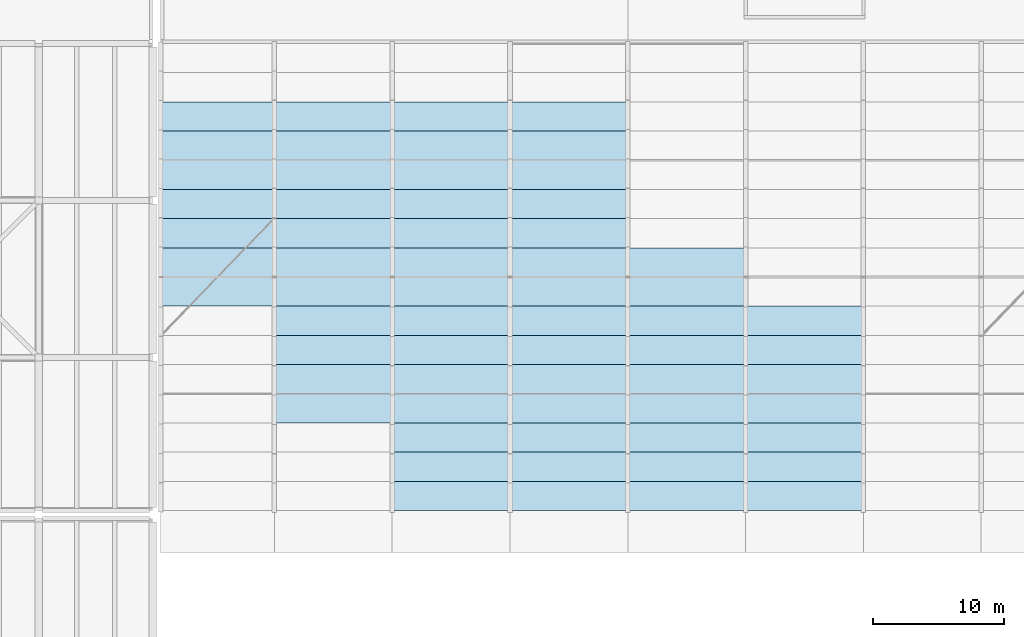
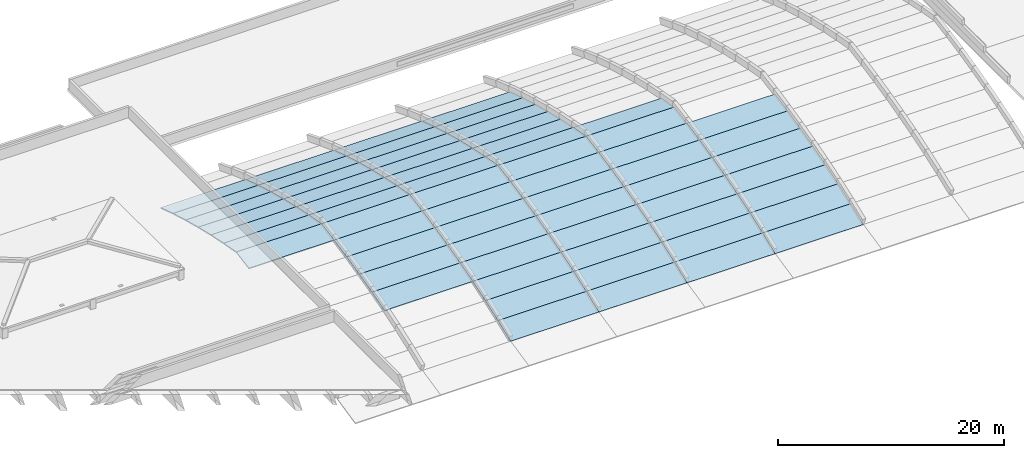
# One storey, part 42 of 56: 62 slabs, 6 elements without a shape of their own.
"""IFC4 building model written with IfcOpenShell, lengths in metres."""

from ifc_helpers import new_model, si_unit, direction, frame, origin, place, context, subcontext, project, spatial, polyline, outline, extrude, material, layer, layer_set, type_object, element, aggregate, save


model = new_model("IFC4")

# Units and contexts
model_context = context("Model", 3, precision=1e-05, world=origin(), true_north=direction((0.0, 1.0)))
body_context = subcontext(model_context, "Body", "Model", "MODEL_VIEW")
ifc_project = project(units=[si_unit("LENGTHUNIT", "METRE"), si_unit("AREAUNIT", "SQUARE_METRE"), si_unit("VOLUMEUNIT", "CUBIC_METRE"), si_unit("PLANEANGLEUNIT", "RADIAN"), si_unit("MASSUNIT", "GRAM", prefix="KILO")], contexts=[model_context])

# Site, building, storey
site_placement = place(None, origin())
site = spatial("IfcSite", under=ifc_project, at=site_placement, CompositionType="ELEMENT")
building_placement = place(site_placement, origin())
building = spatial("IfcBuilding", under=site, at=building_placement, Name="Zacnel Wholesale Market", CompositionType="ELEMENT")
storey_placement = place(building_placement, frame((0.0, 0.0, 20.300048828125)))
storey = spatial("IfcBuildingStorey", under=building, at=storey_placement, Name="RF", CompositionType="ELEMENT", Elevation=20.300048828125)

# Roof, slabs
ifc_material_1 = material(Name="Concrete C40/50", Category="concrete")
ifc_layer_1 = layer(ifc_material_1, 0.110107421875)
ifc_layer_set_1 = layer_set([ifc_layer_1], Name="Concrete C40/50")
roof_type = type_object("IfcRoofType", Name="ROOF-BARREL-36M", PredefinedType="BARREL_ROOF", material=ifc_layer_set_1)
roof_1_placement = place(storey_placement, origin())
roof_1 = element("IfcRoof", 1, at=roof_1_placement, inside=storey, type_object=roof_type, Name="Parabolic barrel-shell roof V1N-W-01", PredefinedType="BARREL_ROOF")
ifc_material_2 = material(Name="Concrete C40/50", Category="concrete")
ifc_layer_2 = layer(ifc_material_2, 0.110107421875)
ifc_layer_set_2 = layer_set([ifc_layer_2], Name="Concrete C40/50")
slab_type = type_object("IfcSlabType", Name="SLB-ROOF-SHELL-110", PredefinedType="ROOF", material=ifc_layer_set_2)
slab_1_placement = place(storey_placement, frame((72.300048828125, 111.918701171875, -4.5), z_axis=(0.0, -0.176420589484, 0.984314876249), x_axis=(1.0, 0.0, 0.0)))
slab_1 = element("IfcSlab", 2, at=slab_1_placement, type_object=slab_type, Name="Barrel-shell facet V1N-W-01-F08", PredefinedType="ROOF", context=body_context, shape_type="SweptSolid", body=[
    extrude(outline(polyline([(0.0, 0.0), (8.699951171875, 0.0), (8.699951171875, 2.266755512602344), (0.0, 2.266755512602344), (0.0, 0.0)])), origin(), (0.0, 0.0, -1.0), 0.110107421875),
])
slab_2_placement = place(storey_placement, frame((72.300048828125, 114.14990234375, -4.10009765625), z_axis=(0.0, 0.176420589484, 0.984314876249), x_axis=(1.0, 0.0, 0.0)))
slab_2 = element("IfcSlab", 3, at=slab_2_placement, type_object=slab_type, Name="Barrel-shell facet V1N-W-01-F09", PredefinedType="ROOF", context=body_context, shape_type="SweptSolid", body=[
    extrude(outline(polyline([(0.0, 0.0), (8.699951171875, 0.0), (8.699951171875, 2.266755512602344), (0.0, 2.266755512602344), (0.0, 0.0)])), origin(), (0.0, 0.0, -1.0), 0.110107421875),
])
slab_3_placement = place(storey_placement, frame((72.300048828125, 116.381103515625, -4.5), z_axis=(0.0, 0.201882701177, 0.979409707408), x_axis=(1.0, 0.0, 0.0)))
slab_3 = element("IfcSlab", 4, at=slab_3_placement, type_object=slab_type, Name="Barrel-shell facet V1N-W-01-F10", PredefinedType="ROOF", context=body_context, shape_type="SweptSolid", body=[
    extrude(outline(polyline([(0.0, 0.0), (8.699951171875, 0.0), (8.699951171875, 2.2783573571115006), (0.0, 2.2783573571115006), (0.0, 0.0)])), origin(), (0.0, 0.0, -1.0), 0.110107421875),
])
slab_4_placement = place(storey_placement, frame((72.300048828125, 118.612548828125, -4.9599609375), z_axis=(0.0, 0.226983688872, 0.973898559906), x_axis=(1.0, 0.0, 0.0)))
slab_4 = element("IfcSlab", 5, at=slab_4_placement, type_object=slab_type, Name="Barrel-shell facet V1N-W-01-F11", PredefinedType="ROOF", context=body_context, shape_type="SweptSolid", body=[
    extrude(outline(polyline([(0.0, 0.0), (8.699951171875, 0.0), (8.699951171875, 2.2909995596371995), (0.0, 2.2909995596371995), (0.0, 0.0)])), origin(), (0.0, 0.0, -1.0), 0.110107421875),
])
slab_5_placement = place(storey_placement, frame((72.300048828125, 120.84375, -5.47998046875), z_axis=(0.0, 0.251619964429, 0.967826117389), x_axis=(1.0, 0.0, 0.0)))
slab_5 = element("IfcSlab", 6, at=slab_5_placement, type_object=slab_type, Name="Barrel-shell facet V1N-W-01-F12", PredefinedType="ROOF", context=body_context, shape_type="SweptSolid", body=[
    extrude(outline(polyline([(0.0, 0.0), (8.699951171875, 0.0), (8.699951171875, 2.3053740044686655), (0.0, 2.3053740044686655), (0.0, 0.0)])), origin(), (0.0, 0.0, -1.0), 0.110107421875),
])
slab_6_placement = place(storey_placement, frame((72.300048828125, 123.074951171875, -6.06005859375), z_axis=(0.0, 0.275651658171, 0.961257594689), x_axis=(1.0, 0.0, 0.0)))
slab_6 = element("IfcSlab", 7, at=slab_6_placement, type_object=slab_type, Name="Barrel-shell facet V1N-W-01-F13", PredefinedType="ROOF", context=body_context, shape_type="SweptSolid", body=[
    extrude(outline(polyline([(0.0, 0.0), (8.699951171875, 0.0), (8.699951171875, 2.3213812039856103), (0.0, 2.3213812039856103), (0.0, 0.0)])), origin(), (0.0, 0.0, -1.0), 0.110107421875),
])
slab_7_placement = place(storey_placement, frame((72.300048828125, 125.306396484375, -6.699951171875), z_axis=(0.0, 0.307185321823, 0.951649713947), x_axis=(1.0, 0.0, 0.0)))
slab_7 = element("IfcSlab", 8, at=slab_7_placement, type_object=slab_type, Name="Barrel-shell facet V1N-W-01-F14", PredefinedType="ROOF", context=body_context, shape_type="SweptSolid", body=[
    extrude(outline(polyline([(0.0, 0.0), (8.699951171875, 0.0), (8.699951171875, 2.344561385533382), (0.0, 2.344561385533382), (0.0, 0.0)])), origin(), (0.0, 0.0, -1.0), 0.110107421875),
])
aggregate(roof_1, [slab_1, slab_2, slab_3, slab_4, slab_5, slab_6, slab_7])

roof_2_placement = place(storey_placement, origin())
roof_2 = element("IfcRoof", 9, at=roof_2_placement, inside=storey, type_object=roof_type, Name="Parabolic barrel-shell roof V1N-W-02", PredefinedType="BARREL_ROOF")
slab_8_placement = place(storey_placement, frame((81.0, 102.99365234375, -6.699951171875), z_axis=(0.0, -0.275651658171, 0.961257594689), x_axis=(1.0, 0.0, 0.0)))
slab_8 = element("IfcSlab", 10, at=slab_8_placement, type_object=slab_type, Name="Barrel-shell facet V1N-W-02-F04", PredefinedType="ROOF", context=body_context, shape_type="SweptSolid", body=[
    extrude(outline(polyline([(0.0, 0.0), (9.0, 0.0), (9.0, 2.3213812039856103), (0.0, 2.3213812039856103), (0.0, 0.0)])), origin(), (0.0, 0.0, -1.0), 0.110107421875),
])
slab_9_placement = place(storey_placement, frame((81.0, 105.22509765625, -6.06005859375), z_axis=(0.0, -0.251619964429, 0.967826117389), x_axis=(1.0, 0.0, 0.0)))
slab_9 = element("IfcSlab", 11, at=slab_9_placement, type_object=slab_type, Name="Barrel-shell facet V1N-W-02-F05", PredefinedType="ROOF", context=body_context, shape_type="SweptSolid", body=[
    extrude(outline(polyline([(0.0, 0.0), (9.0, 0.0), (9.0, 2.305374004468665), (0.0, 2.305374004468665), (0.0, 0.0)])), origin(), (0.0, 0.0, -1.0), 0.110107421875),
])
slab_10_placement = place(storey_placement, frame((81.0, 107.456298828125, -5.47998046875), z_axis=(0.0, -0.226983688872, 0.973898559906), x_axis=(1.0, 0.0, 0.0)))
slab_10 = element("IfcSlab", 12, at=slab_10_placement, type_object=slab_type, Name="Barrel-shell facet V1N-W-02-F06", PredefinedType="ROOF", context=body_context, shape_type="SweptSolid", body=[
    extrude(outline(polyline([(0.0, 0.0), (9.0, 0.0), (9.0, 2.2909995596371995), (0.0, 2.2909995596371995), (0.0, 0.0)])), origin(), (0.0, 0.0, -1.0), 0.110107421875),
])
slab_11_placement = place(storey_placement, frame((81.0, 109.6875, -4.9599609375), z_axis=(0.0, -0.201903890951, 0.979405339386), x_axis=(1.0, 0.0, 0.0)))
slab_11 = element("IfcSlab", 13, at=slab_11_placement, type_object=slab_type, Name="Barrel-shell facet V1N-W-02-F07", PredefinedType="ROOF", context=body_context, shape_type="SweptSolid", body=[
    extrude(outline(polyline([(0.0, 0.0), (9.0, 0.0), (9.0, 2.2781182439465804), (0.0, 2.2781182439465804), (0.0, 0.0)])), origin(), (0.0, 0.0, -1.0), 0.110107421875),
])
slab_12_placement = place(storey_placement, frame((81.0, 111.918701171875, -4.5), z_axis=(0.0, -0.176420589484, 0.984314876249), x_axis=(1.0, 0.0, 0.0)))
slab_12 = element("IfcSlab", 14, at=slab_12_placement, type_object=slab_type, Name="Barrel-shell facet V1N-W-02-F08", PredefinedType="ROOF", context=body_context, shape_type="SweptSolid", body=[
    extrude(outline(polyline([(0.0, 0.0), (9.0, 0.0), (9.0, 2.266755512602344), (0.0, 2.266755512602344), (0.0, 0.0)])), origin(), (0.0, 0.0, -1.0), 0.110107421875),
])
slab_13_placement = place(storey_placement, frame((81.0, 114.14990234375, -4.10009765625), z_axis=(0.0, 0.176420589484, 0.984314876249), x_axis=(1.0, 0.0, 0.0)))
slab_13 = element("IfcSlab", 15, at=slab_13_placement, type_object=slab_type, Name="Barrel-shell facet V1N-W-02-F09", PredefinedType="ROOF", context=body_context, shape_type="SweptSolid", body=[
    extrude(outline(polyline([(0.0, 0.0), (9.0, 0.0), (9.0, 2.266755512602344), (0.0, 2.266755512602344), (0.0, 0.0)])), origin(), (0.0, 0.0, -1.0), 0.110107421875),
])
slab_14_placement = place(storey_placement, frame((81.0, 116.381103515625, -4.5), z_axis=(0.0, 0.201882701177, 0.979409707408), x_axis=(1.0, 0.0, 0.0)))
slab_14 = element("IfcSlab", 16, at=slab_14_placement, type_object=slab_type, Name="Barrel-shell facet V1N-W-02-F10", PredefinedType="ROOF", context=body_context, shape_type="SweptSolid", body=[
    extrude(outline(polyline([(0.0, 0.0), (9.0, 0.0), (9.0, 2.2783573571115006), (0.0, 2.2783573571115006), (0.0, 0.0)])), origin(), (0.0, 0.0, -1.0), 0.110107421875),
])
slab_15_placement = place(storey_placement, frame((81.0, 118.612548828125, -4.9599609375), z_axis=(0.0, 0.226983688872, 0.973898559906), x_axis=(1.0, 0.0, 0.0)))
slab_15 = element("IfcSlab", 17, at=slab_15_placement, type_object=slab_type, Name="Barrel-shell facet V1N-W-02-F11", PredefinedType="ROOF", context=body_context, shape_type="SweptSolid", body=[
    extrude(outline(polyline([(0.0, 0.0), (9.0, 0.0), (9.0, 2.2909995596371995), (0.0, 2.2909995596371995), (0.0, 0.0)])), origin(), (0.0, 0.0, -1.0), 0.110107421875),
])
slab_16_placement = place(storey_placement, frame((81.0, 120.84375, -5.47998046875), z_axis=(0.0, 0.251619964429, 0.967826117389), x_axis=(1.0, 0.0, 0.0)))
slab_16 = element("IfcSlab", 18, at=slab_16_placement, type_object=slab_type, Name="Barrel-shell facet V1N-W-02-F12", PredefinedType="ROOF", context=body_context, shape_type="SweptSolid", body=[
    extrude(outline(polyline([(0.0, 0.0), (9.0, 0.0), (9.0, 2.305374004468665), (0.0, 2.305374004468665), (0.0, 0.0)])), origin(), (0.0, 0.0, -1.0), 0.110107421875),
])
slab_17_placement = place(storey_placement, frame((81.0, 123.074951171875, -6.06005859375), z_axis=(0.0, 0.275651658171, 0.961257594689), x_axis=(1.0, 0.0, 0.0)))
slab_17 = element("IfcSlab", 19, at=slab_17_placement, type_object=slab_type, Name="Barrel-shell facet V1N-W-02-F13", PredefinedType="ROOF", context=body_context, shape_type="SweptSolid", body=[
    extrude(outline(polyline([(0.0, 0.0), (9.0, 0.0), (9.0, 2.3213812039856103), (0.0, 2.3213812039856103), (0.0, 0.0)])), origin(), (0.0, 0.0, -1.0), 0.110107421875),
])
slab_18_placement = place(storey_placement, frame((81.0, 125.306396484375, -6.699951171875), z_axis=(0.0, 0.307185321823, 0.951649713947), x_axis=(1.0, 0.0, 0.0)))
slab_18 = element("IfcSlab", 20, at=slab_18_placement, type_object=slab_type, Name="Barrel-shell facet V1N-W-02-F14", PredefinedType="ROOF", context=body_context, shape_type="SweptSolid", body=[
    extrude(outline(polyline([(0.0, 0.0), (9.0, 0.0), (9.0, 2.3445613855333813), (0.0, 2.3445613855333813), (0.0, 0.0)])), origin(), (0.0, 0.0, -1.0), 0.110107421875),
])
aggregate(roof_2, [slab_8, slab_9, slab_10, slab_11, slab_12, slab_13, slab_14, slab_15, slab_16, slab_17, slab_18])

roof_3_placement = place(storey_placement, origin())
roof_3 = element("IfcRoof", 21, at=roof_3_placement, inside=storey, type_object=roof_type, Name="Parabolic barrel-shell roof V1N-W-03", PredefinedType="BARREL_ROOF")
slab_19_placement = place(storey_placement, frame((90.0, 96.300048828125, -9.10009765625), z_axis=(0.0, -0.366946359501, 0.930242102492), x_axis=(1.0, 0.0, 0.0)))
slab_19 = element("IfcSlab", 22, at=slab_19_placement, type_object=slab_type, Name="Barrel-shell facet V1N-W-03-F01", PredefinedType="ROOF", context=body_context, shape_type="SweptSolid", body=[
    extrude(outline(polyline([(0.0, 0.0), (9.0, 0.0), (9.0, 2.3985166505558118), (0.0, 2.3985166505558118), (0.0, 0.0)])), origin(), (0.0, 0.0, -1.0), 0.110107421875),
])
slab_20_placement = place(storey_placement, frame((90.0, 98.53125, -8.219970703125), z_axis=(0.0, -0.337438907944, 0.941347429701), x_axis=(1.0, 0.0, 0.0)))
slab_20 = element("IfcSlab", 23, at=slab_20_placement, type_object=slab_type, Name="Barrel-shell facet V1N-W-03-F02", PredefinedType="ROOF", context=body_context, shape_type="SweptSolid", body=[
    extrude(outline(polyline([(0.0, 0.0), (9.0, 0.0), (9.0, 2.370220708609927), (0.0, 2.370220708609927), (0.0, 0.0)])), origin(), (0.0, 0.0, -1.0), 0.110107421875),
])
slab_21_placement = place(storey_placement, frame((90.0, 100.762451171875, -7.420166015625), z_axis=(0.0, -0.307185321823, 0.951649713947), x_axis=(1.0, 0.0, 0.0)))
slab_21 = element("IfcSlab", 24, at=slab_21_placement, type_object=slab_type, Name="Barrel-shell facet V1N-W-03-F03", PredefinedType="ROOF", context=body_context, shape_type="SweptSolid", body=[
    extrude(outline(polyline([(0.0, 0.0), (9.0, 0.0), (9.0, 2.3445613855333813), (0.0, 2.3445613855333813), (0.0, 0.0)])), origin(), (0.0, 0.0, -1.0), 0.110107421875),
])
slab_22_placement = place(storey_placement, frame((90.0, 102.99365234375, -6.699951171875), z_axis=(0.0, -0.275651658171, 0.961257594689), x_axis=(1.0, 0.0, 0.0)))
slab_22 = element("IfcSlab", 25, at=slab_22_placement, type_object=slab_type, Name="Barrel-shell facet V1N-W-03-F04", PredefinedType="ROOF", context=body_context, shape_type="SweptSolid", body=[
    extrude(outline(polyline([(0.0, 0.0), (9.0, 0.0), (9.0, 2.3213812039856103), (0.0, 2.3213812039856103), (0.0, 0.0)])), origin(), (0.0, 0.0, -1.0), 0.110107421875),
])
slab_23_placement = place(storey_placement, frame((90.0, 105.22509765625, -6.06005859375), z_axis=(0.0, -0.251619964429, 0.967826117389), x_axis=(1.0, 0.0, 0.0)))
slab_23 = element("IfcSlab", 26, at=slab_23_placement, type_object=slab_type, Name="Barrel-shell facet V1N-W-03-F05", PredefinedType="ROOF", context=body_context, shape_type="SweptSolid", body=[
    extrude(outline(polyline([(0.0, 0.0), (9.0, 0.0), (9.0, 2.305374004468665), (0.0, 2.305374004468665), (0.0, 0.0)])), origin(), (0.0, 0.0, -1.0), 0.110107421875),
])
slab_24_placement = place(storey_placement, frame((90.0, 107.456298828125, -5.47998046875), z_axis=(0.0, -0.226983688872, 0.973898559906), x_axis=(1.0, 0.0, 0.0)))
slab_24 = element("IfcSlab", 27, at=slab_24_placement, type_object=slab_type, Name="Barrel-shell facet V1N-W-03-F06", PredefinedType="ROOF", context=body_context, shape_type="SweptSolid", body=[
    extrude(outline(polyline([(0.0, 0.0), (9.0, 0.0), (9.0, 2.2909995596371995), (0.0, 2.2909995596371995), (0.0, 0.0)])), origin(), (0.0, 0.0, -1.0), 0.110107421875),
])
slab_25_placement = place(storey_placement, frame((90.0, 109.6875, -4.9599609375), z_axis=(0.0, -0.201903890951, 0.979405339386), x_axis=(1.0, 0.0, 0.0)))
slab_25 = element("IfcSlab", 28, at=slab_25_placement, type_object=slab_type, Name="Barrel-shell facet V1N-W-03-F07", PredefinedType="ROOF", context=body_context, shape_type="SweptSolid", body=[
    extrude(outline(polyline([(0.0, 0.0), (9.0, 0.0), (9.0, 2.2781182439465804), (0.0, 2.2781182439465804), (0.0, 0.0)])), origin(), (0.0, 0.0, -1.0), 0.110107421875),
])
slab_26_placement = place(storey_placement, frame((90.0, 111.918701171875, -4.5), z_axis=(0.0, -0.176420589484, 0.984314876249), x_axis=(1.0, 0.0, 0.0)))
slab_26 = element("IfcSlab", 29, at=slab_26_placement, type_object=slab_type, Name="Barrel-shell facet V1N-W-03-F08", PredefinedType="ROOF", context=body_context, shape_type="SweptSolid", body=[
    extrude(outline(polyline([(0.0, 0.0), (9.0, 0.0), (9.0, 2.266755512602344), (0.0, 2.266755512602344), (0.0, 0.0)])), origin(), (0.0, 0.0, -1.0), 0.110107421875),
])
slab_27_placement = place(storey_placement, frame((90.0, 114.14990234375, -4.10009765625), z_axis=(0.0, 0.176420589484, 0.984314876249), x_axis=(1.0, 0.0, 0.0)))
slab_27 = element("IfcSlab", 30, at=slab_27_placement, type_object=slab_type, Name="Barrel-shell facet V1N-W-03-F09", PredefinedType="ROOF", context=body_context, shape_type="SweptSolid", body=[
    extrude(outline(polyline([(0.0, 0.0), (9.0, 0.0), (9.0, 2.266755512602344), (0.0, 2.266755512602344), (0.0, 0.0)])), origin(), (0.0, 0.0, -1.0), 0.110107421875),
])
slab_28_placement = place(storey_placement, frame((90.0, 116.381103515625, -4.5), z_axis=(0.0, 0.201882701177, 0.979409707408), x_axis=(1.0, 0.0, 0.0)))
slab_28 = element("IfcSlab", 31, at=slab_28_placement, type_object=slab_type, Name="Barrel-shell facet V1N-W-03-F10", PredefinedType="ROOF", context=body_context, shape_type="SweptSolid", body=[
    extrude(outline(polyline([(0.0, 0.0), (9.0, 0.0), (9.0, 2.2783573571115006), (0.0, 2.2783573571115006), (0.0, 0.0)])), origin(), (0.0, 0.0, -1.0), 0.110107421875),
])
slab_29_placement = place(storey_placement, frame((90.0, 118.612548828125, -4.9599609375), z_axis=(0.0, 0.226983688872, 0.973898559906), x_axis=(1.0, 0.0, 0.0)))
slab_29 = element("IfcSlab", 32, at=slab_29_placement, type_object=slab_type, Name="Barrel-shell facet V1N-W-03-F11", PredefinedType="ROOF", context=body_context, shape_type="SweptSolid", body=[
    extrude(outline(polyline([(0.0, 0.0), (9.0, 0.0), (9.0, 2.2909995596371995), (0.0, 2.2909995596371995), (0.0, 0.0)])), origin(), (0.0, 0.0, -1.0), 0.110107421875),
])
slab_30_placement = place(storey_placement, frame((90.0, 120.84375, -5.47998046875), z_axis=(0.0, 0.251619964429, 0.967826117389), x_axis=(1.0, 0.0, 0.0)))
slab_30 = element("IfcSlab", 33, at=slab_30_placement, type_object=slab_type, Name="Barrel-shell facet V1N-W-03-F12", PredefinedType="ROOF", context=body_context, shape_type="SweptSolid", body=[
    extrude(outline(polyline([(0.0, 0.0), (9.0, 0.0), (9.0, 2.305374004468665), (0.0, 2.305374004468665), (0.0, 0.0)])), origin(), (0.0, 0.0, -1.0), 0.110107421875),
])
slab_31_placement = place(storey_placement, frame((90.0, 123.074951171875, -6.06005859375), z_axis=(0.0, 0.275651658171, 0.961257594689), x_axis=(1.0, 0.0, 0.0)))
slab_31 = element("IfcSlab", 34, at=slab_31_placement, type_object=slab_type, Name="Barrel-shell facet V1N-W-03-F13", PredefinedType="ROOF", context=body_context, shape_type="SweptSolid", body=[
    extrude(outline(polyline([(0.0, 0.0), (9.0, 0.0), (9.0, 2.3213812039856103), (0.0, 2.3213812039856103), (0.0, 0.0)])), origin(), (0.0, 0.0, -1.0), 0.110107421875),
])
slab_32_placement = place(storey_placement, frame((90.0, 125.306396484375, -6.699951171875), z_axis=(0.0, 0.307185321823, 0.951649713947), x_axis=(1.0, 0.0, 0.0)))
slab_32 = element("IfcSlab", 35, at=slab_32_placement, type_object=slab_type, Name="Barrel-shell facet V1N-W-03-F14", PredefinedType="ROOF", context=body_context, shape_type="SweptSolid", body=[
    extrude(outline(polyline([(0.0, 0.0), (9.0, 0.0), (9.0, 2.3445613855333813), (0.0, 2.3445613855333813), (0.0, 0.0)])), origin(), (0.0, 0.0, -1.0), 0.110107421875),
])
aggregate(roof_3, [slab_19, slab_20, slab_21, slab_22, slab_23, slab_24, slab_25, slab_26, slab_27, slab_28, slab_29, slab_30, slab_31, slab_32])

roof_4_placement = place(storey_placement, origin())
roof_4 = element("IfcRoof", 36, at=roof_4_placement, inside=storey, type_object=roof_type, Name="Parabolic barrel-shell roof V1N-W-04", PredefinedType="BARREL_ROOF")
slab_33_placement = place(storey_placement, frame((99.0, 96.300048828125, -9.10009765625), z_axis=(0.0, -0.366946359501, 0.930242102492), x_axis=(1.0, 0.0, 0.0)))
slab_33 = element("IfcSlab", 37, at=slab_33_placement, type_object=slab_type, Name="Barrel-shell facet V1N-W-04-F01", PredefinedType="ROOF", context=body_context, shape_type="SweptSolid", body=[
    extrude(outline(polyline([(0.0, 0.0), (9.0, 0.0), (9.0, 2.3985166505558118), (0.0, 2.3985166505558118), (0.0, 0.0)])), origin(), (0.0, 0.0, -1.0), 0.110107421875),
])
slab_34_placement = place(storey_placement, frame((99.0, 98.53125, -8.219970703125), z_axis=(0.0, -0.337438907944, 0.941347429701), x_axis=(1.0, 0.0, 0.0)))
slab_34 = element("IfcSlab", 38, at=slab_34_placement, type_object=slab_type, Name="Barrel-shell facet V1N-W-04-F02", PredefinedType="ROOF", context=body_context, shape_type="SweptSolid", body=[
    extrude(outline(polyline([(0.0, 0.0), (9.0, 0.0), (9.0, 2.370220708609927), (0.0, 2.370220708609927), (0.0, 0.0)])), origin(), (0.0, 0.0, -1.0), 0.110107421875),
])
slab_35_placement = place(storey_placement, frame((99.0, 100.762451171875, -7.420166015625), z_axis=(0.0, -0.307185321823, 0.951649713947), x_axis=(1.0, 0.0, 0.0)))
slab_35 = element("IfcSlab", 39, at=slab_35_placement, type_object=slab_type, Name="Barrel-shell facet V1N-W-04-F03", PredefinedType="ROOF", context=body_context, shape_type="SweptSolid", body=[
    extrude(outline(polyline([(0.0, 0.0), (9.0, 0.0), (9.0, 2.3445613855333813), (0.0, 2.3445613855333813), (0.0, 0.0)])), origin(), (0.0, 0.0, -1.0), 0.110107421875),
])
slab_36_placement = place(storey_placement, frame((99.0, 102.99365234375, -6.699951171875), z_axis=(0.0, -0.275651658171, 0.961257594689), x_axis=(1.0, 0.0, 0.0)))
slab_36 = element("IfcSlab", 40, at=slab_36_placement, type_object=slab_type, Name="Barrel-shell facet V1N-W-04-F04", PredefinedType="ROOF", context=body_context, shape_type="SweptSolid", body=[
    extrude(outline(polyline([(0.0, 0.0), (9.0, 0.0), (9.0, 2.3213812039856103), (0.0, 2.3213812039856103), (0.0, 0.0)])), origin(), (0.0, 0.0, -1.0), 0.110107421875),
])
slab_37_placement = place(storey_placement, frame((99.0, 105.22509765625, -6.06005859375), z_axis=(0.0, -0.251619964429, 0.967826117389), x_axis=(1.0, 0.0, 0.0)))
slab_37 = element("IfcSlab", 41, at=slab_37_placement, type_object=slab_type, Name="Barrel-shell facet V1N-W-04-F05", PredefinedType="ROOF", context=body_context, shape_type="SweptSolid", body=[
    extrude(outline(polyline([(0.0, 0.0), (9.0, 0.0), (9.0, 2.305374004468665), (0.0, 2.305374004468665), (0.0, 0.0)])), origin(), (0.0, 0.0, -1.0), 0.110107421875),
])
slab_38_placement = place(storey_placement, frame((99.0, 107.456298828125, -5.47998046875), z_axis=(0.0, -0.226983688872, 0.973898559906), x_axis=(1.0, 0.0, 0.0)))
slab_38 = element("IfcSlab", 42, at=slab_38_placement, type_object=slab_type, Name="Barrel-shell facet V1N-W-04-F06", PredefinedType="ROOF", context=body_context, shape_type="SweptSolid", body=[
    extrude(outline(polyline([(0.0, 0.0), (9.0, 0.0), (9.0, 2.2909995596371995), (0.0, 2.2909995596371995), (0.0, 0.0)])), origin(), (0.0, 0.0, -1.0), 0.110107421875),
])
slab_39_placement = place(storey_placement, frame((99.0, 109.6875, -4.9599609375), z_axis=(0.0, -0.201903890951, 0.979405339386), x_axis=(1.0, 0.0, 0.0)))
slab_39 = element("IfcSlab", 43, at=slab_39_placement, type_object=slab_type, Name="Barrel-shell facet V1N-W-04-F07", PredefinedType="ROOF", context=body_context, shape_type="SweptSolid", body=[
    extrude(outline(polyline([(0.0, 0.0), (9.0, 0.0), (9.0, 2.2781182439465804), (0.0, 2.2781182439465804), (0.0, 0.0)])), origin(), (0.0, 0.0, -1.0), 0.110107421875),
])
slab_40_placement = place(storey_placement, frame((99.0, 111.918701171875, -4.5), z_axis=(0.0, -0.176420589484, 0.984314876249), x_axis=(1.0, 0.0, 0.0)))
slab_40 = element("IfcSlab", 44, at=slab_40_placement, type_object=slab_type, Name="Barrel-shell facet V1N-W-04-F08", PredefinedType="ROOF", context=body_context, shape_type="SweptSolid", body=[
    extrude(outline(polyline([(0.0, 0.0), (9.0, 0.0), (9.0, 2.266755512602344), (0.0, 2.266755512602344), (0.0, 0.0)])), origin(), (0.0, 0.0, -1.0), 0.110107421875),
])
slab_41_placement = place(storey_placement, frame((99.0, 114.14990234375, -4.10009765625), z_axis=(0.0, 0.176420589484, 0.984314876249), x_axis=(1.0, 0.0, 0.0)))
slab_41 = element("IfcSlab", 45, at=slab_41_placement, type_object=slab_type, Name="Barrel-shell facet V1N-W-04-F09", PredefinedType="ROOF", context=body_context, shape_type="SweptSolid", body=[
    extrude(outline(polyline([(0.0, 0.0), (9.0, 0.0), (9.0, 2.266755512602344), (0.0, 2.266755512602344), (0.0, 0.0)])), origin(), (0.0, 0.0, -1.0), 0.110107421875),
])
slab_42_placement = place(storey_placement, frame((99.0, 116.381103515625, -4.5), z_axis=(0.0, 0.201882701177, 0.979409707408), x_axis=(1.0, 0.0, 0.0)))
slab_42 = element("IfcSlab", 46, at=slab_42_placement, type_object=slab_type, Name="Barrel-shell facet V1N-W-04-F10", PredefinedType="ROOF", context=body_context, shape_type="SweptSolid", body=[
    extrude(outline(polyline([(0.0, 0.0), (9.0, 0.0), (9.0, 2.2783573571115006), (0.0, 2.2783573571115006), (0.0, 0.0)])), origin(), (0.0, 0.0, -1.0), 0.110107421875),
])
slab_43_placement = place(storey_placement, frame((99.0, 118.612548828125, -4.9599609375), z_axis=(0.0, 0.226983688872, 0.973898559906), x_axis=(1.0, 0.0, 0.0)))
slab_43 = element("IfcSlab", 47, at=slab_43_placement, type_object=slab_type, Name="Barrel-shell facet V1N-W-04-F11", PredefinedType="ROOF", context=body_context, shape_type="SweptSolid", body=[
    extrude(outline(polyline([(0.0, 0.0), (9.0, 0.0), (9.0, 2.2909995596371995), (0.0, 2.2909995596371995), (0.0, 0.0)])), origin(), (0.0, 0.0, -1.0), 0.110107421875),
])
slab_44_placement = place(storey_placement, frame((99.0, 120.84375, -5.47998046875), z_axis=(0.0, 0.251619964429, 0.967826117389), x_axis=(1.0, 0.0, 0.0)))
slab_44 = element("IfcSlab", 48, at=slab_44_placement, type_object=slab_type, Name="Barrel-shell facet V1N-W-04-F12", PredefinedType="ROOF", context=body_context, shape_type="SweptSolid", body=[
    extrude(outline(polyline([(0.0, 0.0), (9.0, 0.0), (9.0, 2.305374004468665), (0.0, 2.305374004468665), (0.0, 0.0)])), origin(), (0.0, 0.0, -1.0), 0.110107421875),
])
slab_45_placement = place(storey_placement, frame((99.0, 123.074951171875, -6.06005859375), z_axis=(0.0, 0.275651658171, 0.961257594689), x_axis=(1.0, 0.0, 0.0)))
slab_45 = element("IfcSlab", 49, at=slab_45_placement, type_object=slab_type, Name="Barrel-shell facet V1N-W-04-F13", PredefinedType="ROOF", context=body_context, shape_type="SweptSolid", body=[
    extrude(outline(polyline([(0.0, 0.0), (9.0, 0.0), (9.0, 2.3213812039856103), (0.0, 2.3213812039856103), (0.0, 0.0)])), origin(), (0.0, 0.0, -1.0), 0.110107421875),
])
slab_46_placement = place(storey_placement, frame((99.0, 125.306396484375, -6.699951171875), z_axis=(0.0, 0.307185321823, 0.951649713947), x_axis=(1.0, 0.0, 0.0)))
slab_46 = element("IfcSlab", 50, at=slab_46_placement, type_object=slab_type, Name="Barrel-shell facet V1N-W-04-F14", PredefinedType="ROOF", context=body_context, shape_type="SweptSolid", body=[
    extrude(outline(polyline([(0.0, 0.0), (9.0, 0.0), (9.0, 2.3445613855333813), (0.0, 2.3445613855333813), (0.0, 0.0)])), origin(), (0.0, 0.0, -1.0), 0.110107421875),
])
aggregate(roof_4, [slab_33, slab_34, slab_35, slab_36, slab_37, slab_38, slab_39, slab_40, slab_41, slab_42, slab_43, slab_44, slab_45, slab_46])

roof_5_placement = place(storey_placement, origin())
roof_5 = element("IfcRoof", 51, at=roof_5_placement, inside=storey, type_object=roof_type, Name="Parabolic barrel-shell roof V1N-W-05", PredefinedType="BARREL_ROOF")
slab_47_placement = place(storey_placement, frame((108.0, 96.300048828125, -9.10009765625), z_axis=(0.0, -0.366946359501, 0.930242102492), x_axis=(1.0, 0.0, 0.0)))
slab_47 = element("IfcSlab", 52, at=slab_47_placement, type_object=slab_type, Name="Barrel-shell facet V1N-W-05-F01", PredefinedType="ROOF", context=body_context, shape_type="SweptSolid", body=[
    extrude(outline(polyline([(0.0, 0.0), (9.0, 0.0), (9.0, 2.3985166505558118), (0.0, 2.3985166505558118), (0.0, 0.0)])), origin(), (0.0, 0.0, -1.0), 0.110107421875),
])
slab_48_placement = place(storey_placement, frame((108.0, 98.53125, -8.219970703125), z_axis=(0.0, -0.337438907944, 0.941347429701), x_axis=(1.0, 0.0, 0.0)))
slab_48 = element("IfcSlab", 53, at=slab_48_placement, type_object=slab_type, Name="Barrel-shell facet V1N-W-05-F02", PredefinedType="ROOF", context=body_context, shape_type="SweptSolid", body=[
    extrude(outline(polyline([(0.0, 0.0), (9.0, 0.0), (9.0, 2.370220708609927), (0.0, 2.370220708609927), (0.0, 0.0)])), origin(), (0.0, 0.0, -1.0), 0.110107421875),
])
slab_49_placement = place(storey_placement, frame((108.0, 100.762451171875, -7.420166015625), z_axis=(0.0, -0.307185321823, 0.951649713947), x_axis=(1.0, 0.0, 0.0)))
slab_49 = element("IfcSlab", 54, at=slab_49_placement, type_object=slab_type, Name="Barrel-shell facet V1N-W-05-F03", PredefinedType="ROOF", context=body_context, shape_type="SweptSolid", body=[
    extrude(outline(polyline([(0.0, 0.0), (9.0, 0.0), (9.0, 2.3445613855333813), (0.0, 2.3445613855333813), (0.0, 0.0)])), origin(), (0.0, 0.0, -1.0), 0.110107421875),
])
slab_50_placement = place(storey_placement, frame((108.0, 102.99365234375, -6.699951171875), z_axis=(0.0, -0.275651658171, 0.961257594689), x_axis=(1.0, 0.0, 0.0)))
slab_50 = element("IfcSlab", 55, at=slab_50_placement, type_object=slab_type, Name="Barrel-shell facet V1N-W-05-F04", PredefinedType="ROOF", context=body_context, shape_type="SweptSolid", body=[
    extrude(outline(polyline([(0.0, 0.0), (9.0, 0.0), (9.0, 2.3213812039856103), (0.0, 2.3213812039856103), (0.0, 0.0)])), origin(), (0.0, 0.0, -1.0), 0.110107421875),
])
slab_51_placement = place(storey_placement, frame((108.0, 105.22509765625, -6.06005859375), z_axis=(0.0, -0.251619964429, 0.967826117389), x_axis=(1.0, 0.0, 0.0)))
slab_51 = element("IfcSlab", 56, at=slab_51_placement, type_object=slab_type, Name="Barrel-shell facet V1N-W-05-F05", PredefinedType="ROOF", context=body_context, shape_type="SweptSolid", body=[
    extrude(outline(polyline([(0.0, 0.0), (9.0, 0.0), (9.0, 2.305374004468665), (0.0, 2.305374004468665), (0.0, 0.0)])), origin(), (0.0, 0.0, -1.0), 0.110107421875),
])
slab_52_placement = place(storey_placement, frame((108.0, 107.456298828125, -5.47998046875), z_axis=(0.0, -0.226983688872, 0.973898559906), x_axis=(1.0, 0.0, 0.0)))
slab_52 = element("IfcSlab", 57, at=slab_52_placement, type_object=slab_type, Name="Barrel-shell facet V1N-W-05-F06", PredefinedType="ROOF", context=body_context, shape_type="SweptSolid", body=[
    extrude(outline(polyline([(0.0, 0.0), (9.0, 0.0), (9.0, 2.2909995596371995), (0.0, 2.2909995596371995), (0.0, 0.0)])), origin(), (0.0, 0.0, -1.0), 0.110107421875),
])
slab_53_placement = place(storey_placement, frame((108.0, 109.6875, -4.9599609375), z_axis=(0.0, -0.201903890951, 0.979405339386), x_axis=(1.0, 0.0, 0.0)))
slab_53 = element("IfcSlab", 58, at=slab_53_placement, type_object=slab_type, Name="Barrel-shell facet V1N-W-05-F07", PredefinedType="ROOF", context=body_context, shape_type="SweptSolid", body=[
    extrude(outline(polyline([(0.0, 0.0), (9.0, 0.0), (9.0, 2.2781182439465804), (0.0, 2.2781182439465804), (0.0, 0.0)])), origin(), (0.0, 0.0, -1.0), 0.110107421875),
])
slab_54_placement = place(storey_placement, frame((108.0, 111.918701171875, -4.5), z_axis=(0.0, -0.176420589484, 0.984314876249), x_axis=(1.0, 0.0, 0.0)))
slab_54 = element("IfcSlab", 59, at=slab_54_placement, type_object=slab_type, Name="Barrel-shell facet V1N-W-05-F08", PredefinedType="ROOF", context=body_context, shape_type="SweptSolid", body=[
    extrude(outline(polyline([(0.0, 0.0), (9.0, 0.0), (9.0, 2.266755512602344), (0.0, 2.266755512602344), (0.0, 0.0)])), origin(), (0.0, 0.0, -1.0), 0.110107421875),
])
slab_55_placement = place(storey_placement, frame((108.0, 114.14990234375, -4.10009765625), z_axis=(0.0, 0.176420589484, 0.984314876249), x_axis=(1.0, 0.0, 0.0)))
slab_55 = element("IfcSlab", 60, at=slab_55_placement, type_object=slab_type, Name="Barrel-shell facet V1N-W-05-F09", PredefinedType="ROOF", context=body_context, shape_type="SweptSolid", body=[
    extrude(outline(polyline([(0.0, 0.0), (9.0, 0.0), (9.0, 2.266755512602344), (0.0, 2.266755512602344), (0.0, 0.0)])), origin(), (0.0, 0.0, -1.0), 0.110107421875),
])
aggregate(roof_5, [slab_47, slab_48, slab_49, slab_50, slab_51, slab_52, slab_53, slab_54, slab_55])

roof_6_placement = place(storey_placement, origin())
roof_6 = element("IfcRoof", 61, at=roof_6_placement, inside=storey, type_object=roof_type, Name="Parabolic barrel-shell roof V1N-W-06", PredefinedType="BARREL_ROOF")
slab_56_placement = place(storey_placement, frame((117.0, 96.300048828125, -9.10009765625), z_axis=(0.0, -0.366946359501, 0.930242102492), x_axis=(1.0, 0.0, 0.0)))
slab_56 = element("IfcSlab", 62, at=slab_56_placement, type_object=slab_type, Name="Barrel-shell facet V1N-W-06-F01", PredefinedType="ROOF", context=body_context, shape_type="SweptSolid", body=[
    extrude(outline(polyline([(0.0, 0.0), (9.0, 0.0), (9.0, 2.3985166505558118), (0.0, 2.3985166505558118), (0.0, 0.0)])), origin(), (0.0, 0.0, -1.0), 0.110107421875),
])
slab_57_placement = place(storey_placement, frame((117.0, 98.53125, -8.219970703125), z_axis=(0.0, -0.337438907944, 0.941347429701), x_axis=(1.0, 0.0, 0.0)))
slab_57 = element("IfcSlab", 63, at=slab_57_placement, type_object=slab_type, Name="Barrel-shell facet V1N-W-06-F02", PredefinedType="ROOF", context=body_context, shape_type="SweptSolid", body=[
    extrude(outline(polyline([(0.0, 0.0), (9.0, 0.0), (9.0, 2.370220708609927), (0.0, 2.370220708609927), (0.0, 0.0)])), origin(), (0.0, 0.0, -1.0), 0.110107421875),
])
slab_58_placement = place(storey_placement, frame((117.0, 100.762451171875, -7.420166015625), z_axis=(0.0, -0.307185321823, 0.951649713947), x_axis=(1.0, 0.0, 0.0)))
slab_58 = element("IfcSlab", 64, at=slab_58_placement, type_object=slab_type, Name="Barrel-shell facet V1N-W-06-F03", PredefinedType="ROOF", context=body_context, shape_type="SweptSolid", body=[
    extrude(outline(polyline([(0.0, 0.0), (9.0, 0.0), (9.0, 2.3445613855333813), (0.0, 2.3445613855333813), (0.0, 0.0)])), origin(), (0.0, 0.0, -1.0), 0.110107421875),
])
slab_59_placement = place(storey_placement, frame((117.0, 102.99365234375, -6.699951171875), z_axis=(0.0, -0.275651658171, 0.961257594689), x_axis=(1.0, 0.0, 0.0)))
slab_59 = element("IfcSlab", 65, at=slab_59_placement, type_object=slab_type, Name="Barrel-shell facet V1N-W-06-F04", PredefinedType="ROOF", context=body_context, shape_type="SweptSolid", body=[
    extrude(outline(polyline([(0.0, 0.0), (9.0, 0.0), (9.0, 2.3213812039856103), (0.0, 2.3213812039856103), (0.0, 0.0)])), origin(), (0.0, 0.0, -1.0), 0.110107421875),
])
slab_60_placement = place(storey_placement, frame((117.0, 105.22509765625, -6.06005859375), z_axis=(0.0, -0.251619964429, 0.967826117389), x_axis=(1.0, 0.0, 0.0)))
slab_60 = element("IfcSlab", 66, at=slab_60_placement, type_object=slab_type, Name="Barrel-shell facet V1N-W-06-F05", PredefinedType="ROOF", context=body_context, shape_type="SweptSolid", body=[
    extrude(outline(polyline([(0.0, 0.0), (9.0, 0.0), (9.0, 2.305374004468665), (0.0, 2.305374004468665), (0.0, 0.0)])), origin(), (0.0, 0.0, -1.0), 0.110107421875),
])
slab_61_placement = place(storey_placement, frame((117.0, 107.456298828125, -5.47998046875), z_axis=(0.0, -0.226983688872, 0.973898559906), x_axis=(1.0, 0.0, 0.0)))
slab_61 = element("IfcSlab", 67, at=slab_61_placement, type_object=slab_type, Name="Barrel-shell facet V1N-W-06-F06", PredefinedType="ROOF", context=body_context, shape_type="SweptSolid", body=[
    extrude(outline(polyline([(0.0, 0.0), (9.0, 0.0), (9.0, 2.2909995596371995), (0.0, 2.2909995596371995), (0.0, 0.0)])), origin(), (0.0, 0.0, -1.0), 0.110107421875),
])
slab_62_placement = place(storey_placement, frame((117.0, 109.6875, -4.9599609375), z_axis=(0.0, -0.201903890951, 0.979405339386), x_axis=(1.0, 0.0, 0.0)))
slab_62 = element("IfcSlab", 68, at=slab_62_placement, type_object=slab_type, Name="Barrel-shell facet V1N-W-06-F07", PredefinedType="ROOF", context=body_context, shape_type="SweptSolid", body=[
    extrude(outline(polyline([(0.0, 0.0), (9.0, 0.0), (9.0, 2.2781182439465804), (0.0, 2.2781182439465804), (0.0, 0.0)])), origin(), (0.0, 0.0, -1.0), 0.110107421875),
])
aggregate(roof_6, [slab_56, slab_57, slab_58, slab_59, slab_60, slab_61, slab_62])

save(model, "model.ifc")
